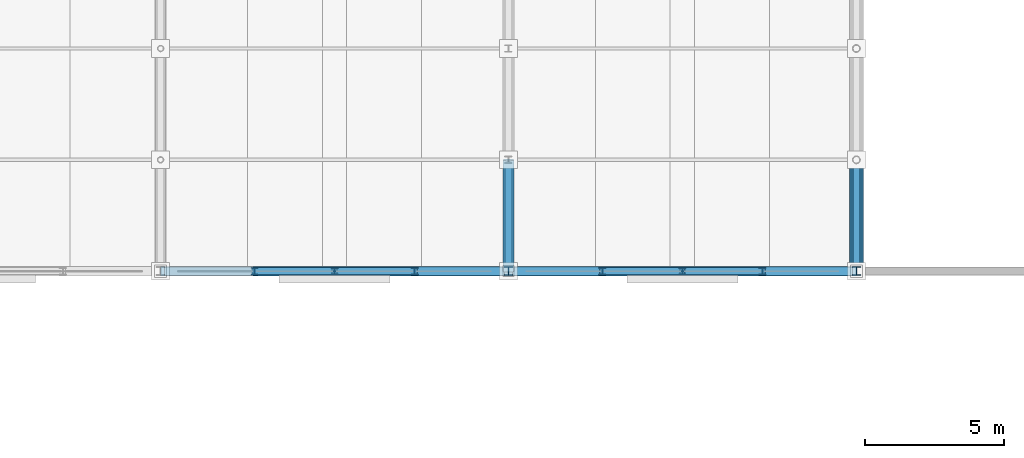
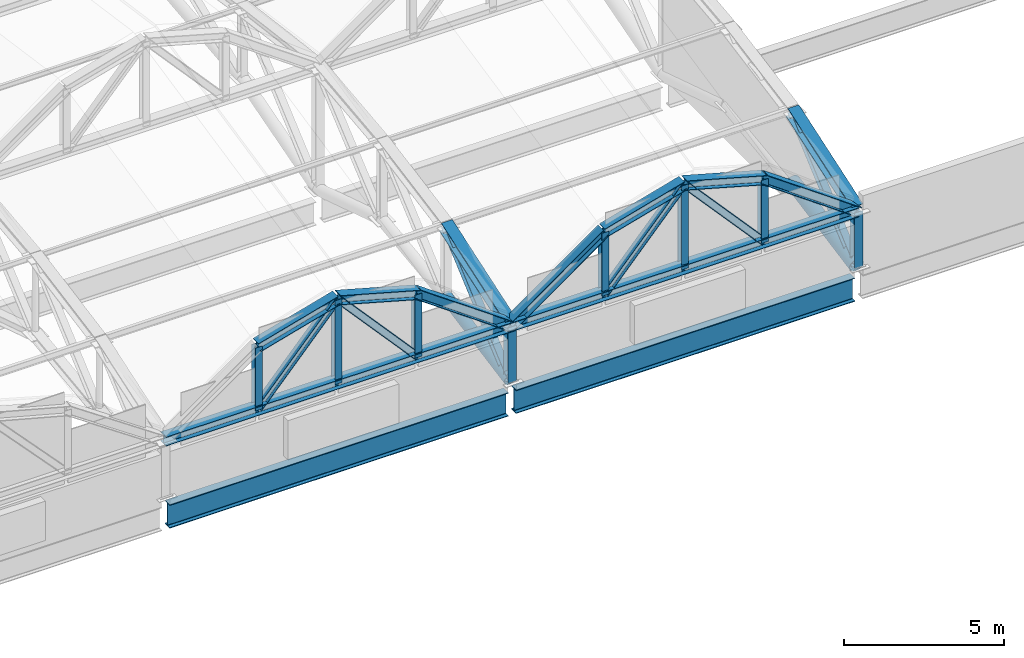
# One storey, part 51 of 117: 27 members, 2 beams.
"""IFC4 building model written with IfcOpenShell, lengths in metres."""

from ifc_helpers import new_model, si_unit, direction, frame, origin, origin_2d, place, context, subcontext, project, spatial, hollow_circle, i_section, extrude, material, material_profile, profile_set, type_object, element, save


model = new_model("IFC4")

# Units and contexts
model_context = context("Model", 3, precision=1e-05, world=origin(), true_north=direction((0.0, 1.0)))
body_context = subcontext(model_context, "Body", "Model", "MODEL_VIEW")
ifc_project = project(units=[si_unit("LENGTHUNIT", "METRE"), si_unit("AREAUNIT", "SQUARE_METRE"), si_unit("VOLUMEUNIT", "CUBIC_METRE"), si_unit("PLANEANGLEUNIT", "RADIAN"), si_unit("MASSUNIT", "GRAM", prefix="KILO")], contexts=[model_context])

# Site, building, storey
site_placement = place(None, origin())
site = spatial("IfcSite", under=ifc_project, at=site_placement, CompositionType="ELEMENT")
building_placement = place(site_placement, origin())
building = spatial("IfcBuilding", under=site, at=building_placement, Name="Kazenohara Klinker Stadium", CompositionType="ELEMENT")
storey_placement = place(building_placement, frame((0.0, 0.0, 31.199951171875)))
storey = spatial("IfcBuildingStorey", under=building, at=storey_placement, Name="RF", CompositionType="ELEMENT", Elevation=31.199951171875)

# Members
ifc_material = material(Name="Steel S355", Category="steel")
ifc_material_profile_1 = material_profile(ifc_material, i_section(OverallWidth=0.25, OverallDepth=0.25, WebThickness=0.009033203125, FlangeThickness=0.013916015625, FilletRadius=0.012939453125, at=origin_2d()), Name="H-250x250x9x14")
ifc_profile_set_1 = profile_set([ifc_material_profile_1], Name="Steel S355")
member_type_1 = type_object("IfcMemberType", Name="MEM-BRC02", PredefinedType="BRACE", material=ifc_profile_set_1)
for number, where, z_axis, x_axis, name in (
    (1, (137.5, 24.0, -0.02001953125), (0.0, 0.755380190588, 0.655286782765), (-1.0, 0.0, 0.0), "ROOF TRUSS RT-S07 web diagonal 1"),
    (2, (150.0, 24.0, -0.02001953125), (0.0, 0.755380190588, 0.655286782765), (-1.0, 0.0, 0.0), "ROOF TRUSS RT-S08 web diagonal 1"),
):
    element("IfcMember", number, at=place(storey_placement, frame(where, z_axis=z_axis, x_axis=x_axis)), inside=storey, type_object=member_type_1, Name=name, PredefinedType="BRACE", context=body_context, shape_type="SweptSolid", body=[
        extrude(i_section(OverallWidth=0.25, OverallDepth=0.25, WebThickness=0.009033203125, FlangeThickness=0.013916015625, FilletRadius=0.012939453125, at=origin_2d()), origin(), (0.0, 0.0, 1.0), 5.29541015625),
    ])
ifc_material_profile_2 = material_profile(ifc_material, i_section(OverallWidth=0.39990234375, OverallDepth=0.39990234375, WebThickness=0.012939453125, FlangeThickness=0.02099609375, FilletRadius=0.02197265625, at=origin_2d()), Name="H-400x400x13x21")
ifc_profile_set_2 = profile_set([ifc_material_profile_2], Name="Steel S355")
member_type_2 = type_object("IfcMemberType", Name="MEM-CHD01", PredefinedType="CHORD", material=ifc_profile_set_2)
for number, where, z_axis, x_axis, name in (
    (3, (137.5, 24.0, 2.10009765625), (0.0, 0.947502791724, 0.319747493618), (-1.0, 0.0, 0.0), "ROOF TRUSS RT-S07 top arched chord 1"),
    (4, (150.0, 24.0, 2.10009765625), (0.0, 0.947502791724, 0.319747493618), (-1.0, 0.0, 0.0), "ROOF TRUSS RT-S08 top arched chord 1"),
):
    element("IfcMember", number, at=place(storey_placement, frame(where, z_axis=z_axis, x_axis=x_axis)), inside=storey, type_object=member_type_2, Name=name, PredefinedType="CHORD", context=body_context, shape_type="SweptSolid", body=[
        extrude(i_section(OverallWidth=0.39990234375, OverallDepth=0.39990234375, WebThickness=0.012939453125, FlangeThickness=0.02099609375, FilletRadius=0.02197265625, at=origin_2d()), origin(), (0.0, 0.0, 1.0), 4.2216796875),
    ])
ifc_material_profile_3 = material_profile(ifc_material, i_section(OverallWidth=0.35009765625, OverallDepth=0.35009765625, WebThickness=0.011962890625, FlangeThickness=0.01904296875, FilletRadius=0.012939453125, at=origin_2d()), Name="H-350x350x12x19")
ifc_profile_set_3 = profile_set([ifc_material_profile_3], Name="Steel S355")
member_type_3 = type_object("IfcMemberType", Name="MEM-CHD02", PredefinedType="CHORD", material=ifc_profile_set_3)
member_1_placement = place(storey_placement, frame((125.0, 24.0, 2.10009765625), z_axis=(1.0, 0.0, 0.0), x_axis=(0.0, 1.0, 0.0)))
element("IfcMember", 5, at=member_1_placement, inside=storey, type_object=member_type_3, Name="Barrel arch tie chord TC02 S-06-N0", PredefinedType="CHORD", context=body_context, shape_type="SweptSolid", body=[
    extrude(i_section(OverallWidth=0.35009765625, OverallDepth=0.35009765625, WebThickness=0.011962890625, FlangeThickness=0.01904296875, FilletRadius=0.012939453125, at=origin_2d()), origin(), (0.0, 0.0, 1.0), 12.5),
])
for number, where, z_axis, x_axis, name in (
    (6, (128.375, 24.0, 4.5), (0.963393567269, 0.0, 0.268091093745), (0.0, 1.0, 0.0), "Barrel arch top rib TC02 S-06-N0-S2"),
    (7, (131.25, 24.0, 5.300048828125), (0.963393567269, 0.0, -0.268091093745), (0.0, 1.0, 0.0), "Barrel arch top rib TC02 S-06-N0-S3"),
):
    element("IfcMember", number, at=place(storey_placement, frame(where, z_axis=z_axis, x_axis=x_axis)), inside=storey, type_object=member_type_3, Name=name, PredefinedType="CHORD", context=body_context, shape_type="SweptSolid", body=[
        extrude(i_section(OverallWidth=0.35009765625, OverallDepth=0.35009765625, WebThickness=0.011962890625, FlangeThickness=0.01904296875, FilletRadius=0.012939453125, at=origin_2d()), origin(), (0.0, 0.0, 1.0), 2.984130859375),
    ])
member_2_placement = place(storey_placement, frame((134.125, 24.0, 4.5), z_axis=(0.814966461491, 0.0, -0.579508124744), x_axis=(0.0, 1.0, 0.0)))
element("IfcMember", 8, at=member_2_placement, inside=storey, type_object=member_type_3, Name="Barrel arch top rib TC02 S-06-N0-S4", PredefinedType="CHORD", context=body_context, shape_type="SweptSolid", body=[
    extrude(i_section(OverallWidth=0.35009765625, OverallDepth=0.35009765625, WebThickness=0.011962890625, FlangeThickness=0.01904296875, FilletRadius=0.012939453125, at=origin_2d()), origin(), (0.0, 0.0, 1.0), 4.141357421875),
])
member_3_placement = place(storey_placement, frame((137.5, 24.0, 2.10009765625), z_axis=(1.0, 0.0, 0.0), x_axis=(0.0, 1.0, 0.0)))
element("IfcMember", 9, at=member_3_placement, inside=storey, type_object=member_type_3, Name="Barrel arch tie chord TC02 S-07-N0", PredefinedType="CHORD", context=body_context, shape_type="SweptSolid", body=[
    extrude(i_section(OverallWidth=0.35009765625, OverallDepth=0.35009765625, WebThickness=0.011962890625, FlangeThickness=0.01904296875, FilletRadius=0.012939453125, at=origin_2d()), origin(), (0.0, 0.0, 1.0), 12.5),
])
member_4_placement = place(storey_placement, frame((137.5, 24.0, 2.10009765625), z_axis=(0.814966461491, 0.0, 0.579508124744), x_axis=(0.0, 1.0, 0.0)))
element("IfcMember", 10, at=member_4_placement, inside=storey, type_object=member_type_3, Name="Barrel arch top rib TC02 S-07-N0-S1", PredefinedType="CHORD", context=body_context, shape_type="SweptSolid", body=[
    extrude(i_section(OverallWidth=0.35009765625, OverallDepth=0.35009765625, WebThickness=0.011962890625, FlangeThickness=0.01904296875, FilletRadius=0.012939453125, at=origin_2d()), origin(), (0.0, 0.0, 1.0), 4.141357421875),
])
for number, where, z_axis, x_axis, name in (
    (11, (140.875, 24.0, 4.5), (0.963393567269, 0.0, 0.268091093745), (0.0, 1.0, 0.0), "Barrel arch top rib TC02 S-07-N0-S2"),
    (12, (143.75, 24.0, 5.300048828125), (0.963393567269, 0.0, -0.268091093745), (0.0, 1.0, 0.0), "Barrel arch top rib TC02 S-07-N0-S3"),
):
    element("IfcMember", number, at=place(storey_placement, frame(where, z_axis=z_axis, x_axis=x_axis)), inside=storey, type_object=member_type_3, Name=name, PredefinedType="CHORD", context=body_context, shape_type="SweptSolid", body=[
        extrude(i_section(OverallWidth=0.35009765625, OverallDepth=0.35009765625, WebThickness=0.011962890625, FlangeThickness=0.01904296875, FilletRadius=0.012939453125, at=origin_2d()), origin(), (0.0, 0.0, 1.0), 2.984130859375),
    ])
member_5_placement = place(storey_placement, frame((146.625, 24.0, 4.5), z_axis=(0.814966461491, 0.0, -0.579508124744), x_axis=(0.0, 1.0, 0.0)))
element("IfcMember", 13, at=member_5_placement, inside=storey, type_object=member_type_3, Name="Barrel arch top rib TC02 S-07-N0-S4", PredefinedType="CHORD", context=body_context, shape_type="SweptSolid", body=[
    extrude(i_section(OverallWidth=0.35009765625, OverallDepth=0.35009765625, WebThickness=0.011962890625, FlangeThickness=0.01904296875, FilletRadius=0.012939453125, at=origin_2d()), origin(), (0.0, 0.0, 1.0), 4.141357421875),
])
ifc_material_profile_4 = material_profile(ifc_material, hollow_circle(Radius=0.203125, WallThickness=0.011962890625, at=origin_2d()), Name="CHS-406.4x12")
ifc_profile_set_4 = profile_set([ifc_material_profile_4], Name="Steel S355")
member_type_4 = type_object("IfcMemberType", Name="MEM-CHD03", PredefinedType="CHORD", material=ifc_profile_set_4)
member_6_placement = place(storey_placement, frame((137.5, 24.0, -0.02001953125), z_axis=(0.0, 0.981970519692, 0.189034119819), x_axis=(-1.0, 0.0, 0.0)))
element("IfcMember", 14, at=member_6_placement, inside=storey, type_object=member_type_4, Name="ROOF TRUSS RT-S07 bottom arched chord 1", PredefinedType="CHORD", context=body_context, shape_type="SweptSolid", body=[
    extrude(hollow_circle(Radius=0.203125, WallThickness=0.011962890625, at=origin_2d()), origin(), (0.0, 0.0, 1.0), 4.073486328125),
])
ifc_material_profile_5 = material_profile(ifc_material, hollow_circle(Radius=0.25390625, WallThickness=0.01611328125, at=origin_2d()), Name="CHS-508.0x16")
ifc_profile_set_5 = profile_set([ifc_material_profile_5], Name="Steel S355")
member_type_5 = type_object("IfcMemberType", Name="MEM-CHD04", PredefinedType="CHORD", material=ifc_profile_set_5)
member_7_placement = place(storey_placement, frame((150.0, 24.0, -0.02001953125), z_axis=(0.0, 0.981970519692, 0.189034119819), x_axis=(-1.0, 0.0, 0.0)))
element("IfcMember", 15, at=member_7_placement, inside=storey, type_object=member_type_5, Name="ROOF TRUSS RT-S08 bottom arched chord 1", PredefinedType="CHORD", context=body_context, shape_type="SweptSolid", body=[
    extrude(hollow_circle(Radius=0.25390625, WallThickness=0.01611328125, at=origin_2d()), origin(), (0.0, 0.0, 1.0), 4.073486328125),
])
ifc_material_profile_6 = material_profile(ifc_material, i_section(OverallWidth=0.300048828125, OverallDepth=0.300048828125, WebThickness=0.010009765625, FlangeThickness=0.014892578125, FilletRadius=0.012939453125, at=origin_2d()), Name="H-300x300x10x15")
ifc_profile_set_6 = profile_set([ifc_material_profile_6], Name="Steel S355")
member_type_6 = type_object("IfcMemberType", Name="MEM-STR01", PredefinedType="STRUT", material=ifc_profile_set_6)
for number, where, z_axis, x_axis, name in (
    (16, (137.5, 24.0, -0.02001953125), (0.0, 0.0, 1.0), (1.0, 0.0, 0.0), "ROOF TRUSS RT-S07 web post 1"),
    (17, (150.0, 24.0, -0.02001953125), (0.0, 0.0, 1.0), (1.0, 0.0, 0.0), "ROOF TRUSS RT-S08 web post 1"),
):
    element("IfcMember", number, at=place(storey_placement, frame(where, z_axis=z_axis, x_axis=x_axis)), inside=storey, type_object=member_type_6, Name=name, PredefinedType="STRUT", context=body_context, shape_type="SweptSolid", body=[
        extrude(i_section(OverallWidth=0.300048828125, OverallDepth=0.300048828125, WebThickness=0.010009765625, FlangeThickness=0.014892578125, FilletRadius=0.012939453125, at=origin_2d()), origin(), (0.0, 0.0, 1.0), 2.1201171875),
    ])
ifc_material_profile_7 = material_profile(ifc_material, i_section(OverallWidth=0.25, OverallDepth=0.25, WebThickness=0.009033203125, FlangeThickness=0.013916015625, FilletRadius=0.012939453125, at=origin_2d()), Name="H-250x250x9x14")
ifc_profile_set_7 = profile_set([ifc_material_profile_7], Name="Steel S355")
member_type_7 = type_object("IfcMemberType", Name="MEM-STR02", PredefinedType="STRUT", material=ifc_profile_set_7)
member_8_placement = place(storey_placement, frame((128.375, 24.0, 2.10009765625), z_axis=(0.0, 0.0, 1.0), x_axis=(1.0, 0.0, 0.0)))
element("IfcMember", 18, at=member_8_placement, inside=storey, type_object=member_type_7, Name="Barrel arch web post TS02 S-06-N0-P1", PredefinedType="STRUT", context=body_context, shape_type="SweptSolid", body=[
    extrude(i_section(OverallWidth=0.25, OverallDepth=0.25, WebThickness=0.009033203125, FlangeThickness=0.013916015625, FilletRadius=0.012939453125, at=origin_2d()), origin(), (0.0, 0.0, 1.0), 2.39990234375),
])
member_9_placement = place(storey_placement, frame((131.25, 24.0, 2.10009765625), z_axis=(0.0, 0.0, 1.0), x_axis=(1.0, 0.0, 0.0)))
element("IfcMember", 19, at=member_9_placement, inside=storey, type_object=member_type_7, Name="Barrel arch web post TS02 S-06-N0-P2", PredefinedType="STRUT", context=body_context, shape_type="SweptSolid", body=[
    extrude(i_section(OverallWidth=0.25, OverallDepth=0.25, WebThickness=0.009033203125, FlangeThickness=0.013916015625, FilletRadius=0.012939453125, at=origin_2d()), origin(), (0.0, 0.0, 1.0), 3.199951171875),
])
member_10_placement = place(storey_placement, frame((134.125, 24.0, 2.10009765625), z_axis=(0.0, 0.0, 1.0), x_axis=(1.0, 0.0, 0.0)))
element("IfcMember", 20, at=member_10_placement, inside=storey, type_object=member_type_7, Name="Barrel arch web post TS02 S-06-N0-P3", PredefinedType="STRUT", context=body_context, shape_type="SweptSolid", body=[
    extrude(i_section(OverallWidth=0.25, OverallDepth=0.25, WebThickness=0.009033203125, FlangeThickness=0.013916015625, FilletRadius=0.012939453125, at=origin_2d()), origin(), (0.0, 0.0, 1.0), 2.39990234375),
])
for number, where, z_axis, x_axis, name in (
    (21, (128.375, 24.0, 2.10009765625), (0.668327970369, 0.0, 0.74386673808), (0.0, 1.0, 0.0), "Barrel arch web diagonal TS02 S-06-N0-D1"),
    (22, (134.125, 24.0, 2.10009765625), (-0.668327970369, 0.0, 0.74386673808), (0.0, -1.0, 0.0), "Barrel arch web diagonal TS02 S-06-N0-D2"),
):
    element("IfcMember", number, at=place(storey_placement, frame(where, z_axis=z_axis, x_axis=x_axis)), inside=storey, type_object=member_type_7, Name=name, PredefinedType="STRUT", context=body_context, shape_type="SweptSolid", body=[
        extrude(i_section(OverallWidth=0.25, OverallDepth=0.25, WebThickness=0.009033203125, FlangeThickness=0.013916015625, FilletRadius=0.012939453125, at=origin_2d()), origin(), (0.0, 0.0, 1.0), 4.3017578125),
    ])
member_11_placement = place(storey_placement, frame((140.875, 24.0, 2.10009765625), z_axis=(0.0, 0.0, 1.0), x_axis=(1.0, 0.0, 0.0)))
element("IfcMember", 23, at=member_11_placement, inside=storey, type_object=member_type_7, Name="Barrel arch web post TS02 S-07-N0-P1", PredefinedType="STRUT", context=body_context, shape_type="SweptSolid", body=[
    extrude(i_section(OverallWidth=0.25, OverallDepth=0.25, WebThickness=0.009033203125, FlangeThickness=0.013916015625, FilletRadius=0.012939453125, at=origin_2d()), origin(), (0.0, 0.0, 1.0), 2.39990234375),
])
member_12_placement = place(storey_placement, frame((143.75, 24.0, 2.10009765625), z_axis=(0.0, 0.0, 1.0), x_axis=(1.0, 0.0, 0.0)))
element("IfcMember", 24, at=member_12_placement, inside=storey, type_object=member_type_7, Name="Barrel arch web post TS02 S-07-N0-P2", PredefinedType="STRUT", context=body_context, shape_type="SweptSolid", body=[
    extrude(i_section(OverallWidth=0.25, OverallDepth=0.25, WebThickness=0.009033203125, FlangeThickness=0.013916015625, FilletRadius=0.012939453125, at=origin_2d()), origin(), (0.0, 0.0, 1.0), 3.199951171875),
])
member_13_placement = place(storey_placement, frame((146.625, 24.0, 2.10009765625), z_axis=(0.0, 0.0, 1.0), x_axis=(1.0, 0.0, 0.0)))
element("IfcMember", 25, at=member_13_placement, inside=storey, type_object=member_type_7, Name="Barrel arch web post TS02 S-07-N0-P3", PredefinedType="STRUT", context=body_context, shape_type="SweptSolid", body=[
    extrude(i_section(OverallWidth=0.25, OverallDepth=0.25, WebThickness=0.009033203125, FlangeThickness=0.013916015625, FilletRadius=0.012939453125, at=origin_2d()), origin(), (0.0, 0.0, 1.0), 2.39990234375),
])
for number, where, z_axis, x_axis, name in (
    (26, (140.875, 24.0, 2.10009765625), (0.668327970369, 0.0, 0.74386673808), (0.0, 1.0, 0.0), "Barrel arch web diagonal TS02 S-07-N0-D1"),
    (27, (146.625, 24.0, 2.10009765625), (-0.668327970369, 0.0, 0.74386673808), (0.0, -1.0, 0.0), "Barrel arch web diagonal TS02 S-07-N0-D2"),
):
    element("IfcMember", number, at=place(storey_placement, frame(where, z_axis=z_axis, x_axis=x_axis)), inside=storey, type_object=member_type_7, Name=name, PredefinedType="STRUT", context=body_context, shape_type="SweptSolid", body=[
        extrude(i_section(OverallWidth=0.25, OverallDepth=0.25, WebThickness=0.009033203125, FlangeThickness=0.013916015625, FilletRadius=0.012939453125, at=origin_2d()), origin(), (0.0, 0.0, 1.0), 4.3017578125),
    ])

# Beams
ifc_material_profile_8 = material_profile(ifc_material, i_section(OverallWidth=0.300048828125, OverallDepth=0.89990234375, WebThickness=0.01611328125, FlangeThickness=0.028076171875, FilletRadius=0.02197265625, at=origin_2d()), Name="H-900x300x16x28")
ifc_profile_set_8 = profile_set([ifc_material_profile_8], Name="Steel S355")
beam_type = type_object("IfcBeamType", Name="RING-RB01", PredefinedType="USERDEFINED", material=ifc_profile_set_8)
for number, where, z_axis, x_axis, name in (
    (28, (125.139892578125, 24.0, -0.820068359375), (1.0, 0.0, 0.0), (0.0, 1.0, 0.0), "Roof ring beam RB01 S-OUT 11-12"),
    (29, (137.639892578125, 24.0, -0.820068359375), (1.0, 0.0, 0.0), (0.0, 1.0, 0.0), "Roof ring beam RB01 S-OUT 12-13"),
):
    element("IfcBeam", number, at=place(storey_placement, frame(where, z_axis=z_axis, x_axis=x_axis)), inside=storey, type_object=beam_type, Name=name, ObjectType="RING BEAM", PredefinedType="USERDEFINED", context=body_context, shape_type="SweptSolid", body=[
        extrude(i_section(OverallWidth=0.300048828125, OverallDepth=0.89990234375, WebThickness=0.01611328125, FlangeThickness=0.028076171875, FilletRadius=0.02197265625, at=origin_2d()), origin(), (0.0, 0.0, 1.0), 12.22021484375),
    ])

save(model, "model.ifc")
